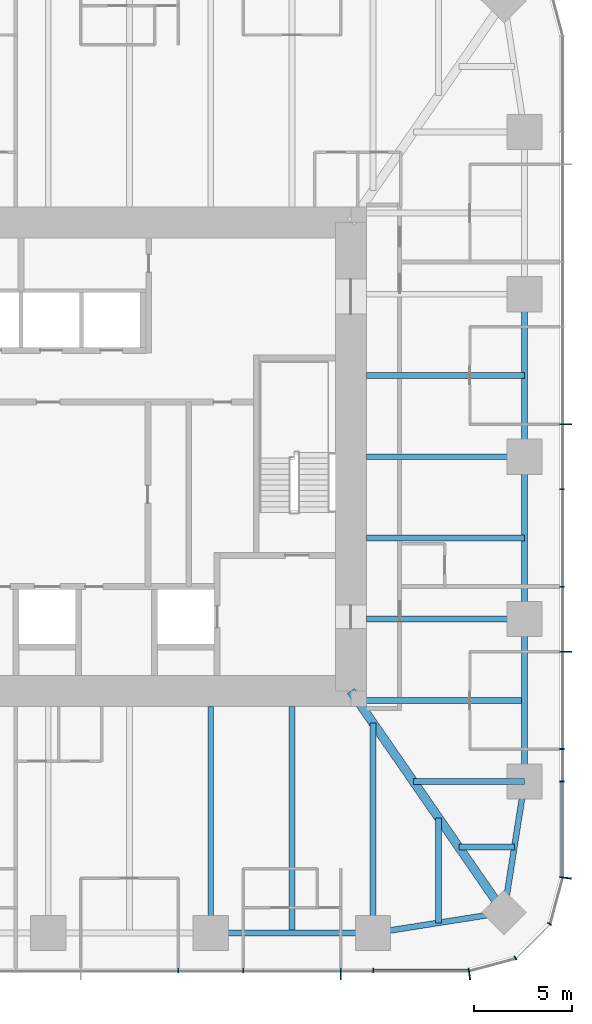
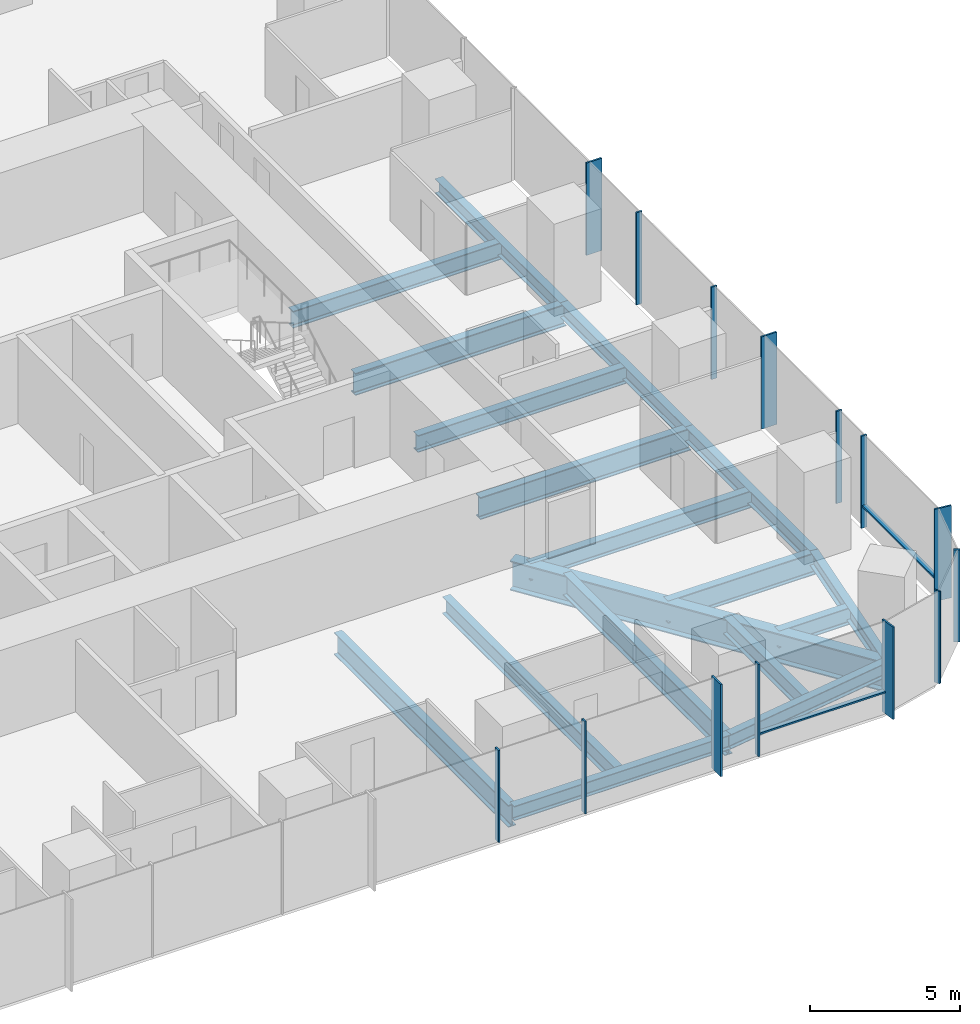
# One storey, part 4 of 12: 18 beams, 16 members, 3 elements without a shape of their own.
"""IFC4 building model written with IfcOpenShell, lengths in metres."""

from ifc_helpers import new_model, si_unit, direction, frame, origin, origin_2d, place, context, subcontext, project, spatial, rectangle, i_section, extrude, material, material_profile, profile_set, type_object, element, aggregate, save


model = new_model("IFC4")

# Units and contexts
model_context = context("Model", 3, precision=1e-05, world=origin(), true_north=direction((0.0, 1.0)))
body_context = subcontext(model_context, "Body", "Model", "MODEL_VIEW")
ifc_project = project(units=[si_unit("LENGTHUNIT", "METRE"), si_unit("AREAUNIT", "SQUARE_METRE"), si_unit("VOLUMEUNIT", "CUBIC_METRE"), si_unit("PLANEANGLEUNIT", "RADIAN"), si_unit("MASSUNIT", "GRAM", prefix="KILO")], contexts=[model_context])

# Site, building, storey
site_placement = place(None, origin())
site = spatial("IfcSite", under=ifc_project, at=site_placement, CompositionType="ELEMENT")
building_placement = place(site_placement, origin())
building = spatial("IfcBuilding", under=site, at=building_placement, Name="Khuree Lantern Residences", CompositionType="ELEMENT")
storey_placement = place(building_placement, frame((0.0, 0.0, 218.25)))
storey = spatial("IfcBuildingStorey", under=building, at=storey_placement, Name="L54", CompositionType="ELEMENT", Elevation=218.25)

# Beams
ifc_material_1 = material(Name="Steel S355", Category="steel")
ifc_material_profile_1 = material_profile(ifc_material_1, i_section(OverallWidth=0.300048828125, OverallDepth=0.68994140625, WebThickness=0.014404296875, FlangeThickness=0.027099609375, FilletRadius=0.027099609375, at=origin_2d()), Name="HE 700 A")
ifc_profile_set_1 = profile_set([ifc_material_profile_1], Name="Steel S355")
beam_type_1 = type_object("IfcBeamType", Name="B-32 SECONDARY BEAM HE 700 A", PredefinedType="BEAM", material=ifc_profile_set_1)
for number, where, z_axis, x_axis, name in (
    (1, (24.39990234375, 4.159912109375, -0.594970703125), (-1.0, 0.0, 0.0), (0.0, -1.0, 0.0), "Secondary beam E3"),
    (2, (24.39990234375, -4.159912109375, -0.594970703125), (-1.0, 0.0, 0.0), (0.0, -1.0, 0.0), "Secondary beam E4"),
):
    element("IfcBeam", number, at=place(storey_placement, frame(where, z_axis=z_axis, x_axis=x_axis)), inside=storey, type_object=beam_type_1, Name=name, PredefinedType="BEAM", context=body_context, shape_type="SweptSolid", body=[
        extrude(i_section(OverallWidth=0.300048828125, OverallDepth=0.68994140625, WebThickness=0.014404296875, FlangeThickness=0.027099609375, FilletRadius=0.027099609375, at=origin_2d()), origin(), (0.0, 0.0, 1.0), 8.099853515625),
    ])
beam_1_placement = place(storey_placement, frame((24.39990234375, -12.47998046875, -0.594970703125), z_axis=(-1.0, 0.0, 0.0), x_axis=(0.0, -1.0, 0.0)))
element("IfcBeam", 3, at=beam_1_placement, inside=storey, type_object=beam_type_1, Name="Secondary beam E5", PredefinedType="BEAM", context=body_context, shape_type="SweptSolid", body=[
    extrude(i_section(OverallWidth=0.300048828125, OverallDepth=0.68994140625, WebThickness=0.014404296875, FlangeThickness=0.027099609375, FilletRadius=0.027099609375, at=origin_2d()), origin(), (0.0, 0.0, 1.0), 8.56787109375),
])
beam_2_placement = place(storey_placement, frame((23.872802734375, -19.992919921875, -0.594970703125), z_axis=(-1.0, 0.0, 0.0), x_axis=(0.0, -1.0, 0.0)))
element("IfcBeam", 4, at=beam_2_placement, inside=storey, type_object=beam_type_1, Name="Secondary beam E6", PredefinedType="BEAM", context=body_context, shape_type="SweptSolid", body=[
    extrude(i_section(OverallWidth=0.300048828125, OverallDepth=0.68994140625, WebThickness=0.014404296875, FlangeThickness=0.027099609375, FilletRadius=0.027099609375, at=origin_2d()), origin(), (0.0, 0.0, 1.0), 2.845703125),
])
beam_3_placement = place(storey_placement, frame((19.992919921875, -23.872802734375, -0.594970703125), z_axis=(0.0, 1.0, 0.0), x_axis=(-1.0, 0.0, 0.0)))
element("IfcBeam", 5, at=beam_3_placement, inside=storey, type_object=beam_type_1, Name="Secondary beam S1", PredefinedType="BEAM", context=body_context, shape_type="SweptSolid", body=[
    extrude(i_section(OverallWidth=0.300048828125, OverallDepth=0.68994140625, WebThickness=0.014404296875, FlangeThickness=0.027099609375, FilletRadius=0.027099609375, at=origin_2d()), origin(), (0.0, 0.0, 1.0), 5.375732421875),
])
beam_4_placement = place(storey_placement, frame((12.47998046875, -24.39990234375, -0.594970703125), z_axis=(0.0, 1.0, 0.0), x_axis=(-1.0, 0.0, 0.0)))
element("IfcBeam", 6, at=beam_4_placement, inside=storey, type_object=beam_type_1, Name="Secondary beam S2", PredefinedType="BEAM", context=body_context, shape_type="SweptSolid", body=[
    extrude(i_section(OverallWidth=0.300048828125, OverallDepth=0.68994140625, WebThickness=0.014404296875, FlangeThickness=0.027099609375, FilletRadius=0.027099609375, at=origin_2d()), origin(), (0.0, 0.0, 1.0), 11.599853515625),
])
ifc_material_profile_2 = material_profile(ifc_material_1, i_section(OverallWidth=0.300048828125, OverallDepth=0.590087890625, WebThickness=0.012939453125, FlangeThickness=0.02490234375, FilletRadius=0.027099609375, at=origin_2d()), Name="HE 600 A")
ifc_profile_set_2 = profile_set([ifc_material_profile_2], Name="Steel S355")
beam_type_2 = type_object("IfcBeamType", Name="E-32 SPANDREL BEAM HE 600 A", PredefinedType="SPANDREL", material=ifc_profile_set_2)
for number, where, z_axis, x_axis, name in (
    (7, (24.39990234375, 8.320068359375, -0.544921875), (0.0, -1.0, 0.0), (1.0, 0.0, 0.0), "Spandrel beam E3"),
    (8, (24.39990234375, 0.0, -0.544921875), (0.0, -1.0, 0.0), (1.0, 0.0, 0.0), "Spandrel beam E4"),
):
    element("IfcBeam", number, at=place(storey_placement, frame(where, z_axis=z_axis, x_axis=x_axis)), inside=storey, type_object=beam_type_2, Name=name, PredefinedType="SPANDREL", context=body_context, shape_type="SweptSolid", body=[
        extrude(i_section(OverallWidth=0.300048828125, OverallDepth=0.590087890625, WebThickness=0.012939453125, FlangeThickness=0.02490234375, FilletRadius=0.027099609375, at=origin_2d()), origin(), (0.0, 0.0, 1.0), 8.320068359375),
    ])
beam_5_placement = place(storey_placement, frame((24.39990234375, -8.320068359375, -0.544921875), z_axis=(0.0, -1.0, 0.0), x_axis=(1.0, 0.0, 0.0)))
element("IfcBeam", 9, at=beam_5_placement, inside=storey, type_object=beam_type_2, Name="Spandrel beam E5", PredefinedType="SPANDREL", context=body_context, shape_type="SweptSolid", body=[
    extrude(i_section(OverallWidth=0.300048828125, OverallDepth=0.590087890625, WebThickness=0.012939453125, FlangeThickness=0.02490234375, FilletRadius=0.027099609375, at=origin_2d()), origin(), (0.0, 0.0, 1.0), 8.31982421875),
])
for number, where, z_axis, x_axis, name in (
    (10, (24.39990234375, -16.639892578125, -0.544921875), (-0.155299507442, -0.98786743189, 0.0), (0.98786743189, -0.155299507442, 0.0), "Spandrel beam E6"),
    (11, (23.345703125, -23.345703125, -0.544921875), (-0.98786743189, -0.155299507442, 0.0), (0.155299507442, -0.98786743189, 0.0), "Spandrel beam S1"),
):
    element("IfcBeam", number, at=place(storey_placement, frame(where, z_axis=z_axis, x_axis=x_axis)), inside=storey, type_object=beam_type_2, Name=name, PredefinedType="SPANDREL", context=body_context, shape_type="SweptSolid", body=[
        extrude(i_section(OverallWidth=0.300048828125, OverallDepth=0.590087890625, WebThickness=0.012939453125, FlangeThickness=0.02490234375, FilletRadius=0.027099609375, at=origin_2d()), origin(), (0.0, 0.0, 1.0), 6.7880859375),
    ])
beam_6_placement = place(storey_placement, frame((16.639892578125, -24.39990234375, -0.544921875), z_axis=(-1.0, 0.0, 0.0), x_axis=(0.0, -1.0, 0.0)))
element("IfcBeam", 12, at=beam_6_placement, inside=storey, type_object=beam_type_2, Name="Spandrel beam S2", PredefinedType="SPANDREL", context=body_context, shape_type="SweptSolid", body=[
    extrude(i_section(OverallWidth=0.300048828125, OverallDepth=0.590087890625, WebThickness=0.012939453125, FlangeThickness=0.02490234375, FilletRadius=0.027099609375, at=origin_2d()), origin(), (0.0, 0.0, 1.0), 8.31982421875),
])

# Curtain wall, member
ifc_material_2 = material(Name="Bronze anodised aluminium", Category="aluminium")
curtain_wall_type_1 = type_object("IfcCurtainWallType", Name="CW-T2 TOWER CORNER CURTAIN WALL", PredefinedType="USERDEFINED", material=ifc_material_2)
curtain_wall_1_placement = place(storey_placement, origin())
curtain_wall_1 = element("IfcCurtainWall", 13, at=curtain_wall_1_placement, inside=storey, type_object=curtain_wall_type_1, Name="L54 SOUTH-EAST CORNER CURTAIN WALL", ObjectType="Faceted corner curtain wall", PredefinedType="USERDEFINED")
ifc_material_profile_3 = material_profile(ifc_material_2, rectangle(XDim=0.06494140625, YDim=0.60009765625, at=origin_2d()), Name="F1 65X600")
ifc_profile_set_3 = profile_set([ifc_material_profile_3], Name="Bronze anodised aluminium")
member_type_1 = type_object("IfcMemberType", Name="F1 BRONZE FIN MULLION TOWER 65X600", PredefinedType="MULLION", material=ifc_profile_set_3)
member_1_placement = place(storey_placement, frame((21.56982421875, -26.5, 0.0), z_axis=(0.0, 0.0, 1.0), x_axis=(0.991444862943, 0.130526180298, 0.0)))
member_1 = element("IfcMember", 14, at=member_1_placement, type_object=member_type_1, Name="L54 SOUTH-EAST CORNER FIN MULLION 1", PredefinedType="MULLION", context=body_context, shape_type="SweptSolid", body=[
    extrude(rectangle(XDim=0.06494140625, YDim=0.60009765625, at=origin_2d()), origin(), (0.0, 0.0, 1.0), 3.75),
])

# Curtain wall, members
curtain_wall_type_2 = type_object("IfcCurtainWallType", Name="CW-T1 TOWER FACE CURTAIN WALL", PredefinedType="USERDEFINED", material=ifc_material_2)
curtain_wall_2_placement = place(storey_placement, origin())
curtain_wall_2 = element("IfcCurtainWall", 15, at=curtain_wall_2_placement, inside=storey, type_object=curtain_wall_type_2, Name="L54 EAST FACE CURTAIN WALL", ObjectType="Stick-built curtain wall", PredefinedType="USERDEFINED")
member_2_placement = place(storey_placement, frame((26.5, -21.56982421875, 0.0), z_axis=(0.0, 0.0, 1.0), x_axis=(0.130526180298, 0.991444862943, 0.0)))
member_2 = element("IfcMember", 16, at=member_2_placement, type_object=member_type_1, Name="L54 EAST FACE FIN MULLION 4", PredefinedType="MULLION", context=body_context, shape_type="SweptSolid", body=[
    extrude(rectangle(XDim=0.06494140625, YDim=0.60009765625, at=origin_2d()), origin(), (0.0, 0.0, 1.0), 3.75),
])
member_3_placement = place(storey_placement, frame((26.5, -9.98388671875, 0.0), z_axis=(0.0, 0.0, 1.0), x_axis=(0.0, 1.0, 0.0)))
member_3 = element("IfcMember", 17, at=member_3_placement, type_object=member_type_1, Name="L54 EAST FACE FIN MULLION 7", PredefinedType="MULLION", context=body_context, shape_type="SweptSolid", body=[
    extrude(rectangle(XDim=0.06494140625, YDim=0.60009765625, at=origin_2d()), origin(), (0.0, 0.0, 1.0), 3.75),
])
member_4_placement = place(storey_placement, frame((26.5, 1.6640625, 0.0), z_axis=(0.0, 0.0, 1.0), x_axis=(0.0, 1.0, 0.0)))
member_4 = element("IfcMember", 18, at=member_4_placement, type_object=member_type_1, Name="L54 EAST FACE FIN MULLION 10", PredefinedType="MULLION", context=body_context, shape_type="SweptSolid", body=[
    extrude(rectangle(XDim=0.06494140625, YDim=0.60009765625, at=origin_2d()), origin(), (0.0, 0.0, 1.0), 3.75),
])

# Curtain wall, member
curtain_wall_3_placement = place(storey_placement, origin())
curtain_wall_3 = element("IfcCurtainWall", 19, at=curtain_wall_3_placement, inside=storey, type_object=curtain_wall_type_2, Name="L54 SOUTH FACE CURTAIN WALL", ObjectType="Stick-built curtain wall", PredefinedType="USERDEFINED")
member_5_placement = place(storey_placement, frame((14.97607421875, -26.5, 0.0), z_axis=(0.0, 0.0, 1.0), x_axis=(1.0, 0.0, 0.0)))
member_5 = element("IfcMember", 20, at=member_5_placement, type_object=member_type_1, Name="L54 SOUTH FACE FIN MULLION 55", PredefinedType="MULLION", context=body_context, shape_type="SweptSolid", body=[
    extrude(rectangle(XDim=0.06494140625, YDim=0.60009765625, at=origin_2d()), origin(), (0.0, 0.0, 1.0), 3.75),
])

# Beams
ifc_material_profile_4 = material_profile(ifc_material_1, i_section(OverallWidth=0.300048828125, OverallDepth=0.89990234375, WebThickness=0.0185546875, FlangeThickness=0.034912109375, FilletRadius=0.030029296875, at=origin_2d()), Name="HE 900 B")
ifc_profile_set_4 = profile_set([ifc_material_profile_4], Name="Steel S355")
beam_type_3 = type_object("IfcBeamType", Name="G-32 GIRDER HE 900 B", PredefinedType="BEAM", material=ifc_profile_set_4)
for number, where, z_axis, x_axis, name in (
    (21, (24.39990234375, 0.0, -0.699951171875), (-1.0, 0.0, 0.0), (0.0, -1.0, 0.0), "Girder E3"),
    (22, (24.39990234375, -8.320068359375, -0.699951171875), (-1.0, 0.0, 0.0), (0.0, -1.0, 0.0), "Girder E4"),
):
    element("IfcBeam", number, at=place(storey_placement, frame(where, z_axis=z_axis, x_axis=x_axis)), inside=storey, type_object=beam_type_3, Name=name, PredefinedType="BEAM", context=body_context, shape_type="SweptSolid", body=[
        extrude(i_section(OverallWidth=0.300048828125, OverallDepth=0.89990234375, WebThickness=0.0185546875, FlangeThickness=0.034912109375, FilletRadius=0.030029296875, at=origin_2d()), origin(), (0.0, 0.0, 1.0), 8.099853515625),
    ])
beam_7_placement = place(storey_placement, frame((24.39990234375, -16.639892578125, -0.699951171875), z_axis=(-1.0, 0.0, 0.0), x_axis=(0.0, -1.0, 0.0)))
element("IfcBeam", 23, at=beam_7_placement, inside=storey, type_object=beam_type_3, Name="Girder E5", PredefinedType="BEAM", context=body_context, shape_type="SweptSolid", body=[
    extrude(i_section(OverallWidth=0.300048828125, OverallDepth=0.89990234375, WebThickness=0.0185546875, FlangeThickness=0.034912109375, FilletRadius=0.030029296875, at=origin_2d()), origin(), (0.0, 0.0, 1.0), 5.69140625),
])
beam_8_placement = place(storey_placement, frame((16.639892578125, -24.39990234375, -0.699951171875), z_axis=(0.0, 1.0, 0.0), x_axis=(-1.0, 0.0, 0.0)))
element("IfcBeam", 24, at=beam_8_placement, inside=storey, type_object=beam_type_3, Name="Girder S1", PredefinedType="BEAM", context=body_context, shape_type="SweptSolid", body=[
    extrude(i_section(OverallWidth=0.300048828125, OverallDepth=0.89990234375, WebThickness=0.0185546875, FlangeThickness=0.034912109375, FilletRadius=0.030029296875, at=origin_2d()), origin(), (0.0, 0.0, 1.0), 10.751220703125),
])
beam_9_placement = place(storey_placement, frame((8.320068359375, -24.39990234375, -0.699951171875), z_axis=(0.0, 1.0, 0.0), x_axis=(-1.0, 0.0, 0.0)))
element("IfcBeam", 25, at=beam_9_placement, inside=storey, type_object=beam_type_3, Name="Girder S2", PredefinedType="BEAM", context=body_context, shape_type="SweptSolid", body=[
    extrude(i_section(OverallWidth=0.300048828125, OverallDepth=0.89990234375, WebThickness=0.0185546875, FlangeThickness=0.034912109375, FilletRadius=0.030029296875, at=origin_2d()), origin(), (0.0, 0.0, 1.0), 11.599853515625),
])
ifc_material_profile_5 = material_profile(ifc_material_1, i_section(OverallWidth=0.449951171875, OverallDepth=1.199951171875, WebThickness=0.02490234375, FlangeThickness=0.044921875, at=origin_2d()), Name="WELDED I 1200X450X25X45")
ifc_profile_set_5 = profile_set([ifc_material_profile_5], Name="Steel S355")
beam_type_4 = type_object("IfcBeamType", Name="GD-32 CORNER GIRDER WELDED I 1200X450X25X45", PredefinedType="BEAM", material=ifc_profile_set_5)
beam_10_placement = place(storey_placement, frame((23.345703125, -23.345703125, -0.85009765625), z_axis=(-0.56876813501, 0.822497907959, 0.0), x_axis=(-0.822497907959, -0.56876813501, 0.0)))
element("IfcBeam", 26, at=beam_10_placement, inside=storey, type_object=beam_type_4, Name="Corner girder SE", PredefinedType="BEAM", context=body_context, shape_type="SweptSolid", body=[
    extrude(i_section(OverallWidth=0.449951171875, OverallDepth=1.199951171875, WebThickness=0.02490234375, FlangeThickness=0.044921875, at=origin_2d()), origin(), (0.0, 0.0, 1.0), 13.794189453125),
])

# Member
ifc_material_profile_6 = material_profile(ifc_material_2, rectangle(XDim=0.06494140625, YDim=0.219970703125, at=origin_2d()), Name="M1 65X220")
ifc_profile_set_6 = profile_set([ifc_material_profile_6], Name="Bronze anodised aluminium")
member_type_2 = type_object("IfcMemberType", Name="M1 BRONZE MULLION TOWER 65X220", PredefinedType="MULLION", material=ifc_profile_set_6)
member_6_placement = place(storey_placement, frame((23.929931640625, -25.67236328125, 0.0), z_axis=(0.0, 0.0, 1.0), x_axis=(0.866025409797, 0.499999989586, 0.0)))
member_6 = element("IfcMember", 27, at=member_6_placement, type_object=member_type_2, Name="L54 SOUTH-EAST CORNER MULLION 2", PredefinedType="MULLION", context=body_context, shape_type="SweptSolid", body=[
    extrude(rectangle(XDim=0.06494140625, YDim=0.219970703125, at=origin_2d()), origin(), (0.0, 0.0, 1.0), 3.75),
])

member_7_placement = place(storey_placement, frame((25.67236328125, -23.929931640625, 0.0), z_axis=(0.0, 0.0, 1.0), x_axis=(0.499999989586, 0.866025409797, 0.0)))
member_7 = element("IfcMember", 28, at=member_7_placement, type_object=member_type_2, Name="L54 SOUTH-EAST CORNER MULLION 3", PredefinedType="MULLION", context=body_context, shape_type="SweptSolid", body=[
    extrude(rectangle(XDim=0.06494140625, YDim=0.219970703125, at=origin_2d()), origin(), (0.0, 0.0, 1.0), 3.75),
])

aggregate(curtain_wall_1, [member_1, member_6, member_7])

member_8_placement = place(storey_placement, frame((26.31005859375, -16.639892578125, 0.0), z_axis=(0.0, 0.0, 1.0), x_axis=(0.0, 1.0, 0.0)))
member_8 = element("IfcMember", 29, at=member_8_placement, type_object=member_type_2, Name="L54 EAST FACE MULLION 5", PredefinedType="MULLION", context=body_context, shape_type="SweptSolid", body=[
    extrude(rectangle(XDim=0.06494140625, YDim=0.219970703125, at=origin_2d()), origin(), (0.0, 0.0, 1.0), 3.75),
])

member_9_placement = place(storey_placement, frame((26.31005859375, -14.97607421875, 0.0), z_axis=(0.0, 0.0, 1.0), x_axis=(0.0, 1.0, 0.0)))
member_9 = element("IfcMember", 30, at=member_9_placement, type_object=member_type_2, Name="L54 EAST FACE MULLION 6", PredefinedType="MULLION", context=body_context, shape_type="SweptSolid", body=[
    extrude(rectangle(XDim=0.06494140625, YDim=0.219970703125, at=origin_2d()), origin(), (0.0, 0.0, 1.0), 3.75),
])

member_10_placement = place(storey_placement, frame((26.31005859375, -6.656005859375, 0.0), z_axis=(0.0, 0.0, 1.0), x_axis=(0.0, 1.0, 0.0)))
member_10 = element("IfcMember", 31, at=member_10_placement, type_object=member_type_2, Name="L54 EAST FACE MULLION 8", PredefinedType="MULLION", context=body_context, shape_type="SweptSolid", body=[
    extrude(rectangle(XDim=0.06494140625, YDim=0.219970703125, at=origin_2d()), origin(), (0.0, 0.0, 1.0), 3.75),
])

member_11_placement = place(storey_placement, frame((26.31005859375, -1.6640625, 0.0), z_axis=(0.0, 0.0, 1.0), x_axis=(0.0, 1.0, 0.0)))
member_11 = element("IfcMember", 32, at=member_11_placement, type_object=member_type_2, Name="L54 EAST FACE MULLION 9", PredefinedType="MULLION", context=body_context, shape_type="SweptSolid", body=[
    extrude(rectangle(XDim=0.06494140625, YDim=0.219970703125, at=origin_2d()), origin(), (0.0, 0.0, 1.0), 3.75),
])

member_12_placement = place(storey_placement, frame((6.656005859375, -26.31005859375, 0.0), z_axis=(0.0, 0.0, 1.0), x_axis=(1.0, 0.0, 0.0)))
member_12 = element("IfcMember", 33, at=member_12_placement, type_object=member_type_2, Name="L54 SOUTH FACE MULLION 53", PredefinedType="MULLION", context=body_context, shape_type="SweptSolid", body=[
    extrude(rectangle(XDim=0.06494140625, YDim=0.219970703125, at=origin_2d()), origin(), (0.0, 0.0, 1.0), 3.75),
])

member_13_placement = place(storey_placement, frame((9.98388671875, -26.31005859375, 0.0), z_axis=(0.0, 0.0, 1.0), x_axis=(1.0, 0.0, 0.0)))
member_13 = element("IfcMember", 34, at=member_13_placement, type_object=member_type_2, Name="L54 SOUTH FACE MULLION 54", PredefinedType="MULLION", context=body_context, shape_type="SweptSolid", body=[
    extrude(rectangle(XDim=0.06494140625, YDim=0.219970703125, at=origin_2d()), origin(), (0.0, 0.0, 1.0), 3.75),
])

member_14_placement = place(storey_placement, frame((16.639892578125, -26.31005859375, 0.0), z_axis=(0.0, 0.0, 1.0), x_axis=(1.0, 0.0, 0.0)))
member_14 = element("IfcMember", 35, at=member_14_placement, type_object=member_type_2, Name="L54 SOUTH FACE MULLION 56", PredefinedType="MULLION", context=body_context, shape_type="SweptSolid", body=[
    extrude(rectangle(XDim=0.06494140625, YDim=0.219970703125, at=origin_2d()), origin(), (0.0, 0.0, 1.0), 3.75),
])

ifc_material_profile_7 = material_profile(ifc_material_2, rectangle(XDim=0.179931640625, YDim=0.06494140625, at=origin_2d()), Name="T1 180X65")
ifc_profile_set_7 = profile_set([ifc_material_profile_7], Name="Bronze anodised aluminium")
member_type_3 = type_object("IfcMemberType", Name="TRANSOM T1 TOWER 180X65", PredefinedType="USERDEFINED", material=ifc_profile_set_7)
member_15_placement = place(storey_placement, frame((26.320068359375, -21.50146484375, 0.89990234375), z_axis=(0.0, 1.0, 0.0), x_axis=(-1.0, 0.0, 0.0)))
member_15 = element("IfcMember", 36, at=member_15_placement, type_object=member_type_3, Name="L54 EAST FACE TRANSOM 4.1", ObjectType="Transom", PredefinedType="USERDEFINED", context=body_context, shape_type="SweptSolid", body=[
    extrude(rectangle(XDim=0.179931640625, YDim=0.06494140625, at=origin_2d()), origin(), (0.0, 0.0, 1.0), 4.828857421875),
])

aggregate(curtain_wall_2, [member_2, member_8, member_9, member_3, member_10, member_11, member_4, member_15])

member_16_placement = place(storey_placement, frame((16.672607421875, -26.320068359375, 0.89990234375), z_axis=(1.0, 0.0, 0.0), x_axis=(0.0, 1.0, 0.0)))
member_16 = element("IfcMember", 37, at=member_16_placement, type_object=member_type_3, Name="L54 SOUTH FACE TRANSOM 56.1", ObjectType="Transom", PredefinedType="USERDEFINED", context=body_context, shape_type="SweptSolid", body=[
    extrude(rectangle(XDim=0.179931640625, YDim=0.06494140625, at=origin_2d()), origin(), (0.0, 0.0, 1.0), 4.828857421875),
])

aggregate(curtain_wall_3, [member_12, member_13, member_5, member_14, member_16])

save(model, "model.ifc")
